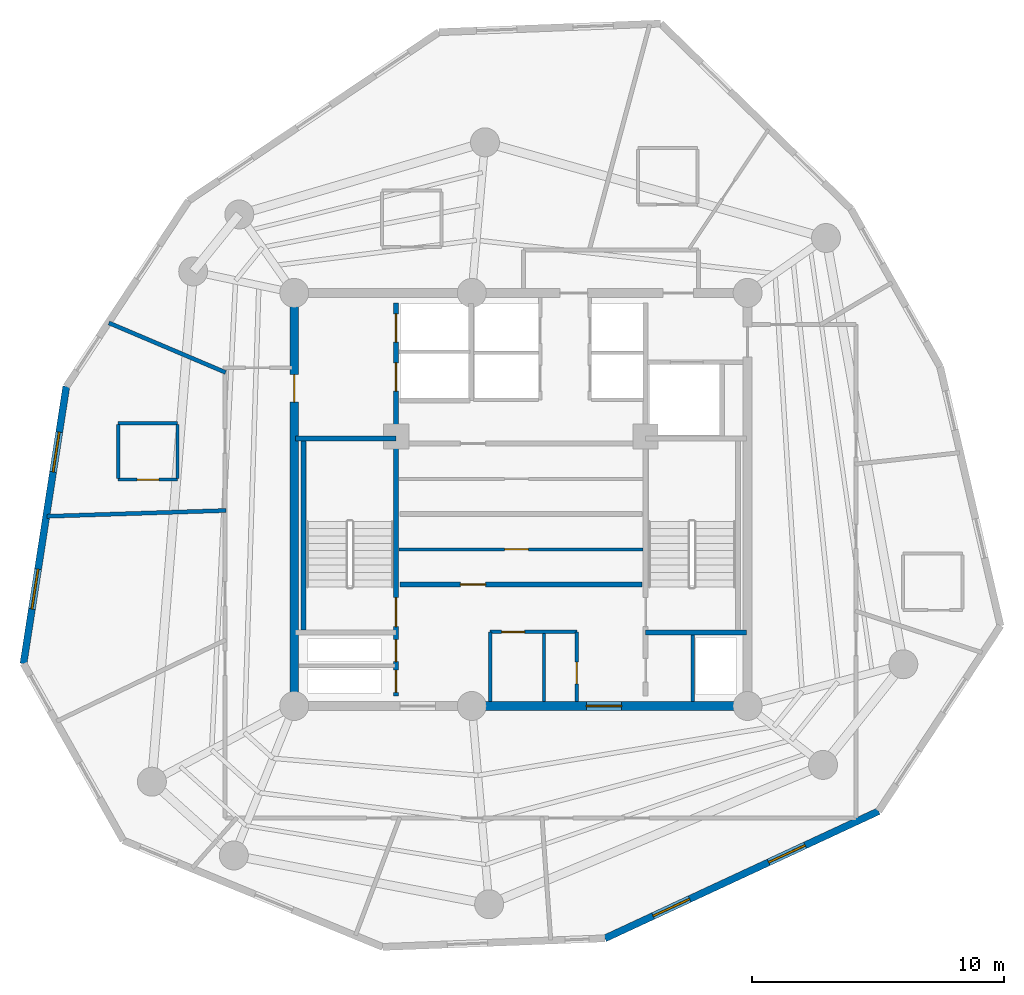
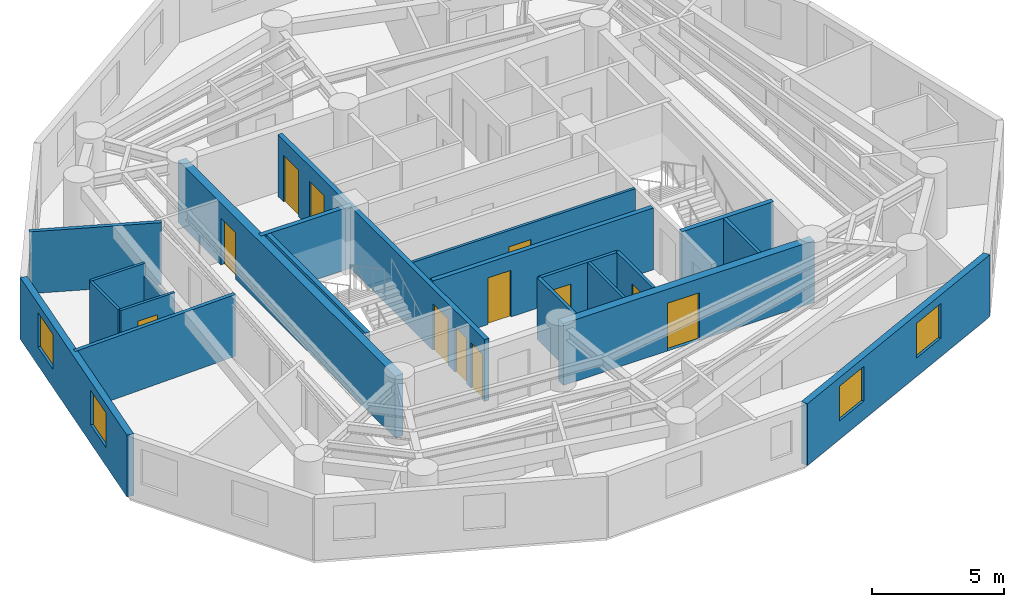
# One storey, part 3 of 7: 21 walls, 12 doors, 4 windows, 16 openings.
"""IFC4 building model written with IfcOpenShell, lengths in metres."""

import ifcopenshell
import ifcopenshell.guid

model = None  # the IFC model being written
_history = None  # IfcOwnerHistory: only IFC2X3 demands one
_inside = {}  # id of a spatial element -> (the spatial element, [elements in it])
_under = {}  # id of a project, library or spatial element -> (it, [spatial elements below it])
_declared = {}  # id of a project -> (the project, [libraries it declares])
_typed = {}  # id of a type object -> (the type object, [elements of that type])
_made_of = {}  # id of a material, layer set ... -> (it, [elements and type objects made of it])


def new_model(schema):
    """Start an empty IFC model of exactly this schema.

    Asked for "IFC4X3", IfcOpenShell would pick the latest addendum, in which some entities
    have other attributes; the version numbers below select the first issue.
    IFC2X3 requires an IfcOwnerHistory on every rooted entity: one is made here for all.
    """
    global model, _history
    if schema == "IFC4X3":
        model = ifcopenshell.file(schema_version=(4, 3, 0, 0))
    else:
        model = ifcopenshell.file(schema=schema)
    _inside.clear()
    _under.clear()
    _declared.clear()
    _typed.clear()
    _made_of.clear()
    _history = None
    if model.schema == "IFC2X3":
        org = make("IfcOrganization", Name="unknown")
        user = make(
            "IfcPersonAndOrganization",
            ThePerson=make("IfcPerson", FamilyName="unknown"),
            TheOrganization=org,
        )
        app = make(
            "IfcApplication",
            ApplicationDeveloper=org,
            Version="unknown",
            ApplicationFullName="unknown",
            ApplicationIdentifier="unknown",
        )
        _history = make(
            "IfcOwnerHistory",
            OwningUser=user,
            OwningApplication=app,
            ChangeAction="ADDED",
            CreationDate=0,
        )
    return model


def make(cls, **values):
    """One entity of the class cls with the attributes given. An attribute that is None is left unset."""
    return model.create_entity(
        cls, **{name: value for name, value in values.items() if value is not None}
    )


def rooted(cls, **values):
    """An entity with a GlobalId (a new one), such as an element, a storey or a relation."""
    return make(cls, GlobalId=ifcopenshell.guid.new(), OwnerHistory=_history, **values)


def si_unit(unit_type, name, prefix=None):
    """IfcSIUnit, for example si_unit("LENGTHUNIT", "METRE", prefix="MILLI")."""
    return make("IfcSIUnit", UnitType=unit_type, Prefix=prefix, Name=name)


def assignment(units):
    """IfcUnitAssignment: the units of a project."""
    return None if units is None else make("IfcUnitAssignment", Units=units)


def point(xyz):
    """IfcCartesianPoint."""
    return None if xyz is None else make("IfcCartesianPoint", Coordinates=xyz)


def direction(xyz):
    """IfcDirection."""
    return None if xyz is None else make("IfcDirection", DirectionRatios=xyz)


def frame(location, z_axis=None, x_axis=None):
    """IfcAxis2Placement3D, a coordinate frame: its origin and axes. An axis left out is left unset."""
    return make(
        "IfcAxis2Placement3D",
        Location=point(location),
        Axis=direction(z_axis),
        RefDirection=direction(x_axis),
    )


def frame_2d(location, x_axis=None):
    """IfcAxis2Placement2D, a coordinate frame in the plane: its origin and x axis."""
    return make(
        "IfcAxis2Placement2D", Location=point(location), RefDirection=direction(x_axis)
    )


def origin():
    """The frame at (0, 0, 0) with its axes left unset."""
    return frame((0.0, 0.0, 0.0))


def origin_with_axes():
    """The frame at (0, 0, 0) with the z axis (0, 0, 1) and the x axis (1, 0, 0) written out."""
    return frame((0.0, 0.0, 0.0), z_axis=(0.0, 0.0, 1.0), x_axis=(1.0, 0.0, 0.0))


def place(relative_to, where):
    """IfcLocalPlacement: puts the frame where relative to a parent placement (None: the world)."""
    return make(
        "IfcLocalPlacement", PlacementRelTo=relative_to, RelativePlacement=where
    )


def context(
    kind, dimensions, precision=None, world=None, true_north=None, identifier=None
):
    """IfcGeometricRepresentationContext, for example the 3D "Model" context."""
    return make(
        "IfcGeometricRepresentationContext",
        ContextIdentifier=identifier,
        ContextType=kind,
        CoordinateSpaceDimension=dimensions,
        Precision=precision,
        WorldCoordinateSystem=world,
        TrueNorth=true_north,
    )


def subcontext(parent, identifier, kind, view, scale=None):
    """IfcGeometricRepresentationSubContext, for example "Body" below "Model"."""
    return make(
        "IfcGeometricRepresentationSubContext",
        ContextIdentifier=identifier,
        ContextType=kind,
        ParentContext=parent,
        TargetScale=scale,
        TargetView=view,
    )


def project(units=None, contexts=None):
    """IfcProject with its units and contexts."""
    return rooted(
        "IfcProject",
        Name="project",
        RepresentationContexts=contexts,
        UnitsInContext=assignment(units),
    )


def spatial(cls, under=None, at=None, **own):
    """A site, building, storey or space (cls), placed at a placement, below another one or the project."""
    s = rooted(cls, ObjectPlacement=at, **own)
    if under is not None:
        _under.setdefault(under.id(), (under, []))[1].append(s)
    return s


def profile(cls, at=None, kind="AREA", **sizes):
    """A parametric profile (cls). Its sizes go by their IFC names, for example OverallWidth=200.0."""
    return make(cls, ProfileType=kind, Position=at, **sizes)


def rectangle(**sizes):
    """IfcRectangleProfileDef."""
    return profile("IfcRectangleProfileDef", **sizes)


def extrude(swept, where, along, depth):
    """IfcExtrudedAreaSolid: the profile swept, set in the frame where, extruded along a direction by depth."""
    return make(
        "IfcExtrudedAreaSolid",
        SweptArea=swept,
        Position=where,
        ExtrudedDirection=direction(along),
        Depth=depth,
    )


def shape(context_of_items, identifier, shape_type, items):
    """IfcShapeRepresentation: the items that make up one representation, for example the "Body"."""
    return make(
        "IfcShapeRepresentation",
        ContextOfItems=context_of_items,
        RepresentationIdentifier=identifier,
        RepresentationType=shape_type,
        Items=items,
    )


def source(mapping_origin, context_of_items, identifier, shape_type, items):
    """IfcRepresentationMap: a shape defined once, which mapped items show again and again."""
    return make(
        "IfcRepresentationMap",
        MappingOrigin=mapping_origin,
        MappedRepresentation=shape(context_of_items, identifier, shape_type, items),
    )


def transform(
    local_origin,
    x_axis=None,
    y_axis=None,
    z_axis=None,
    scale=None,
    scale2=None,
    scale3=None,
    uniform=True,
):
    """IfcCartesianTransformationOperator3D, or its non-uniform kind. x_axis, y_axis, z_axis: its Axis1, 2, 3."""
    if uniform:
        return make(
            "IfcCartesianTransformationOperator3D",
            Axis1=direction(x_axis),
            Axis2=direction(y_axis),
            LocalOrigin=point(local_origin),
            Scale=scale,
            Axis3=direction(z_axis),
        )
    return make(
        "IfcCartesianTransformationOperator3DnonUniform",
        Axis1=direction(x_axis),
        Axis2=direction(y_axis),
        LocalOrigin=point(local_origin),
        Scale=scale,
        Axis3=direction(z_axis),
        Scale2=scale2,
        Scale3=scale3,
    )


def mapped(mapping_source, mapping_target):
    """IfcMappedItem: shows the shape of a source again, moved by a transform."""
    return make(
        "IfcMappedItem", MappingSource=mapping_source, MappingTarget=mapping_target
    )


def material(Name=None, Category=None):
    """IfcMaterial."""
    return make("IfcMaterial", Name=Name, Category=Category)


def layer(
    of_material, thickness, ventilated=None, Name=None, Category=None, Priority=None
):
    """IfcMaterialLayer: one layer of a wall or slab, of a material (None: an air gap)."""
    return make(
        "IfcMaterialLayer",
        Material=of_material,
        LayerThickness=thickness,
        IsVentilated=ventilated,
        Name=Name,
        Category=Category,
        Priority=Priority,
    )


def layer_set(layers, Name=None):
    """IfcMaterialLayerSet."""
    return make("IfcMaterialLayerSet", MaterialLayers=layers, LayerSetName=Name)


def made_of(thing, what):
    """Note that an element or type object is made of a material, layer set ...; save() writes the relation."""
    if what is not None:
        _made_of.setdefault(what.id(), (what, []))[1].append(thing)
    return thing


def type_object(cls, material=None, **own):
    """A type object (cls), such as IfcWallType, which elements share."""
    return made_of(rooted(cls, **own), material)


def element(
    cls,
    number,
    at=None,
    inside=None,
    cuts=None,
    type_object=None,
    material=None,
    context=None,
    identifier="Body",
    shape_type=None,
    held_by="IfcProductDefinitionShape",
    body=None,
    shapes=None,
    **own,
):
    """One element of the class cls, such as IfcWall. Its Tag is "e" and its number.

    at: its placement. inside: the storey or other place that contains it. cuts: it is an
    opening in that element (IfcRelVoidsElement). A single representation is given by context,
    identifier, shape_type and body (its items); several are given by shapes. held_by: the class
    of the entity that holds the representations. save() writes the other relations.
    """
    e = rooted(cls, Tag="e%d" % number, ObjectPlacement=at, **own)
    if body is not None:
        shapes = [shape(context, identifier, shape_type, body)]
    if shapes is not None:
        e.Representation = make(held_by, Representations=shapes)
    if inside is not None:
        _inside.setdefault(inside.id(), (inside, []))[1].append(e)
    if cuts is not None:
        rooted(
            "IfcRelVoidsElement", RelatingBuildingElement=cuts, RelatedOpeningElement=e
        )
    if type_object is not None:
        _typed.setdefault(type_object.id(), (type_object, []))[1].append(e)
    return made_of(e, material)


def fill(opening, filler):
    """IfcRelFillsElement: the door or window that sits in an opening."""
    return rooted(
        "IfcRelFillsElement",
        RelatingOpeningElement=opening,
        RelatedBuildingElement=filler,
    )


def aggregate(whole, parts):
    """IfcRelAggregates: a whole, such as a stair, and the parts it consists of."""
    return rooted("IfcRelAggregates", RelatingObject=whole, RelatedObjects=parts)


def save(model, path):
    """Write the relations noted so far, then the file.

    IfcRelAggregates (storeys below a building ...), IfcRelContainedInSpatialStructure (elements
    in a storey), IfcRelDefinesByType, IfcRelAssociatesMaterial and IfcRelDeclares: one each for
    every whole, place, type object, material and project.
    """
    for whole, parts in _under.values():
        aggregate(whole, parts)
    for where, things in _inside.values():
        rooted(
            "IfcRelContainedInSpatialStructure",
            RelatedElements=things,
            RelatingStructure=where,
        )
    for kind, things in _typed.values():
        rooted("IfcRelDefinesByType", RelatedObjects=things, RelatingType=kind)
    for what, things in _made_of.values():
        rooted("IfcRelAssociatesMaterial", RelatedObjects=things, RelatingMaterial=what)
    for by, libraries in _declared.values():
        rooted("IfcRelDeclares", RelatingContext=by, RelatedDefinitions=libraries)
    model.write(path)


model = new_model("IFC4")

# Units and contexts
model_context = context("Model", 3, precision=1e-05, world=origin(), true_north=direction((0.0, 1.0)))
body_context = subcontext(model_context, "Body", "Model", "MODEL_VIEW")
ifc_project = project(units=[si_unit("LENGTHUNIT", "METRE"), si_unit("AREAUNIT", "SQUARE_METRE"), si_unit("VOLUMEUNIT", "CUBIC_METRE"), si_unit("PLANEANGLEUNIT", "RADIAN"), si_unit("MASSUNIT", "GRAM", prefix="KILO")], contexts=[model_context])

# Site, building, storey
site_placement = place(None, origin())
site = spatial("IfcSite", under=ifc_project, at=site_placement, CompositionType="ELEMENT")
building_placement = place(site_placement, origin())
building = spatial("IfcBuilding", under=site, at=building_placement, Name="Karkom Vertical University and Central Library", CompositionType="ELEMENT")
storey_placement = place(building_placement, frame((0.0, 0.0, 259.60009765625)))
storey = spatial("IfcBuildingStorey", under=building, at=storey_placement, Name="L77", CompositionType="ELEMENT", Elevation=259.60009765625)

# Wall, openings, windows
ifc_material_1 = material(Name="Brick-faced precast concrete C45/55", Category="masonry")
ifc_layer_1 = layer(ifc_material_1, 0.280029296875)
ifc_layer_set_1 = layer_set([ifc_layer_1], Name="Brick-faced precast concrete C45/55")
wall_type_1 = type_object("IfcWallType", Name="ENV-WL-BRK-280", PredefinedType="SOLIDWALL", material=ifc_layer_set_1)
wall_1_placement = place(storey_placement, frame((31.833984375, 9.073486328125, 0.0), z_axis=(0.0, 0.0, 1.0), x_axis=(0.906836854836, 0.421481813026, 0.0)))
wall_1 = element("IfcWall", 1, at=wall_1_placement, inside=storey, type_object=wall_type_1, Name="Level 77 Brick-Faced Precast Facade Wall 04", PredefinedType="SOLIDWALL", context=body_context, shape_type="SweptSolid", body=[
    extrude(rectangle(XDim=11.98291015625, YDim=0.280029296875, at=frame_2d((5.991455078125, 0.0))), origin(), (0.0, 0.0, 1.0), 2.849853515625),
])
opening_1_placement = place(wall_1_placement, frame((2.109130859375, 0.0, 0.85009765625)))
opening_1 = element("IfcOpeningElement", 2, at=opening_1_placement, cuts=wall_1, Name="Opening WN-10", PredefinedType="OPENING", context=body_context, shape_type="SweptSolid", body=[
    extrude(rectangle(XDim=1.60009765625, YDim=1.60009765625, at=frame_2d((0.800048828125, 0.800048828125))), frame((0.0, 0.14990234375, 0.0), z_axis=(0.0, -1.0, 0.0), x_axis=(1.0, 0.0, 0.0)), (0.0, 0.0, 1.0), 0.300048828125),
])
opening_2_placement = place(wall_1_placement, frame((7.167236328125, 0.0, 0.85009765625)))
opening_2 = element("IfcOpeningElement", 3, at=opening_2_placement, cuts=wall_1, Name="Opening WN-10", PredefinedType="OPENING", context=body_context, shape_type="SweptSolid", body=[
    extrude(rectangle(XDim=1.60009765625, YDim=1.60009765625, at=frame_2d((0.800048828125, 0.800048828125))), frame((0.0, 0.14990234375, 0.0), z_axis=(0.0, -1.0, 0.0), x_axis=(1.0, 0.0, 0.0)), (0.0, 0.0, 1.0), 0.300048828125),
])
ifc_material_2 = material(Name="Aluminium thermal-break frame with solar-control IGU", Category="aluminium")
window_type = type_object("IfcWindowType", Name="ENV-WIN-WN-10", PartitioningType="SINGLE_PANEL", PredefinedType="WINDOW", material=ifc_material_2)
shared_shape_1 = source(origin_with_axes(), body_context, "Body", "SweptSolid", [
    extrude(rectangle(XDim=1.60009765625, YDim=1.60009765625, at=frame_2d((0.800048828125, 0.800048828125))), frame((0.0, 0.030029296875, 0.0), z_axis=(0.0, -1.0, 0.0), x_axis=(1.0, 0.0, 0.0)), (0.0, 0.0, 1.0), 0.06005859375),
])
window_1_placement = place(opening_1_placement, origin())
window_1 = element("IfcWindow", 4, at=window_1_placement, inside=storey, type_object=window_type, Name="Level 77 Punched Window 4.1", OverallHeight=1.60009765625, OverallWidth=1.60009765625, PartitioningType="SINGLE_PANEL", PredefinedType="WINDOW", context=body_context, shape_type="MappedRepresentation", body=[
    mapped(shared_shape_1, transform((0.0, 0.0, 0.0), scale=1.0)),
])
fill(opening_1, window_1)
window_2_placement = place(opening_2_placement, origin())
window_2 = element("IfcWindow", 5, at=window_2_placement, inside=storey, type_object=window_type, Name="Level 77 Punched Window 4.2", OverallHeight=1.60009765625, OverallWidth=1.60009765625, PartitioningType="SINGLE_PANEL", PredefinedType="WINDOW", context=body_context, shape_type="MappedRepresentation", body=[
    mapped(shared_shape_1, transform((0.0, 0.0, 0.0), scale=1.0)),
])
fill(opening_2, window_2)

wall_2_placement = place(storey_placement, frame((10.45263671875, 30.985107421875, 0.0), z_axis=(0.0, 0.0, 1.0), x_axis=(-0.152727787932, -0.988268294945, 0.0)))
wall_2 = element("IfcWall", 6, at=wall_2_placement, inside=storey, type_object=wall_type_1, Name="Level 77 Brick-Faced Precast Facade Wall 12", PredefinedType="SOLIDWALL", context=body_context, shape_type="SweptSolid", body=[
    extrude(rectangle(XDim=11.1337890625, YDim=0.280029296875, at=frame_2d((5.56689453125, 0.0))), origin(), (0.0, 0.0, 1.0), 2.849853515625),
])
opening_3_placement = place(wall_2_placement, frame((1.83251953125, 0.0, 0.85009765625)))
opening_3 = element("IfcOpeningElement", 7, at=opening_3_placement, cuts=wall_2, Name="Opening WN-10", PredefinedType="OPENING", context=body_context, shape_type="SweptSolid", body=[
    extrude(rectangle(XDim=1.60009765625, YDim=1.60009765625, at=frame_2d((0.800048828125, 0.800048828125))), frame((0.0, 0.14990234375, 0.0), z_axis=(0.0, -1.0, 0.0), x_axis=(1.0, 0.0, 0.0)), (0.0, 0.0, 1.0), 0.300048828125),
])
opening_4_placement = place(wall_2_placement, frame((7.339111328125, 0.0, 0.85009765625)))
opening_4 = element("IfcOpeningElement", 8, at=opening_4_placement, cuts=wall_2, Name="Opening WN-10", PredefinedType="OPENING", context=body_context, shape_type="SweptSolid", body=[
    extrude(rectangle(XDim=1.60009765625, YDim=1.60009765625, at=frame_2d((0.800048828125, 0.800048828125))), frame((0.0, 0.14990234375, 0.0), z_axis=(0.0, -1.0, 0.0), x_axis=(1.0, 0.0, 0.0)), (0.0, 0.0, 1.0), 0.300048828125),
])
window_3_placement = place(opening_3_placement, origin())
window_3 = element("IfcWindow", 9, at=window_3_placement, inside=storey, type_object=window_type, Name="Level 77 Punched Window 12.1", OverallHeight=1.60009765625, OverallWidth=1.60009765625, PartitioningType="SINGLE_PANEL", PredefinedType="WINDOW", context=body_context, shape_type="MappedRepresentation", body=[
    mapped(shared_shape_1, transform((0.0, 0.0, 0.0), scale=1.0)),
])
fill(opening_3, window_3)
window_4_placement = place(opening_4_placement, origin())
window_4 = element("IfcWindow", 10, at=window_4_placement, inside=storey, type_object=window_type, Name="Level 77 Punched Window 12.2", OverallHeight=1.60009765625, OverallWidth=1.60009765625, PartitioningType="SINGLE_PANEL", PredefinedType="WINDOW", context=body_context, shape_type="MappedRepresentation", body=[
    mapped(shared_shape_1, transform((0.0, 0.0, 0.0), scale=1.0)),
])
fill(opening_4, window_4)

# Walls
ifc_material_3 = material(Name="Insulated metal-stud drywall 160mm", Category="gypsum")
ifc_layer_2 = layer(ifc_material_3, 0.159912109375)
ifc_layer_set_2 = layer_set([ifc_layer_2], Name="Insulated metal-stud drywall 160mm")
wall_type_2 = type_object("IfcWallType", Name="INT-WL-COR-160", PredefinedType="PARTITIONING", material=ifc_layer_set_2)
wall_3_placement = place(storey_placement, frame((9.6826171875, 25.830810546875, 0.0), z_axis=(0.0, 0.0, 1.0), x_axis=(0.999476541971, 0.032351847701, 0.0)))
element("IfcWall", 11, at=wall_3_placement, inside=storey, type_object=wall_type_2, Name="Level 77 Interior Partition Wall L77-PW-002", PredefinedType="PARTITIONING", context=body_context, shape_type="SweptSolid", body=[
    extrude(rectangle(XDim=7.1162109375, YDim=0.159912109375, at=frame_2d((3.55810546875, 0.0))), origin(), (0.0, 0.0, 1.0), 2.849853515625),
])
wall_4_placement = place(storey_placement, frame((16.777587890625, 31.541015625, 0.0), z_axis=(0.0, 0.0, 1.0), x_axis=(-0.920504094463, 0.390732916553, 0.0)))
element("IfcWall", 12, at=wall_4_placement, inside=storey, type_object=wall_type_2, Name="Level 77 Interior Partition Wall L77-PW-012", PredefinedType="PARTITIONING", context=body_context, shape_type="SweptSolid", body=[
    extrude(rectangle(XDim=5.0341796875, YDim=0.159912109375, at=frame_2d((2.51708984375, 0.0))), origin(), (0.0, 0.0, 1.0), 2.849853515625),
])
ifc_material_4 = material(Name="Moisture-resistant drywall 120mm", Category="gypsum")
ifc_layer_3 = layer(ifc_material_4, 0.1201171875)
ifc_layer_set_3 = layer_set([ifc_layer_3], Name="Moisture-resistant drywall 120mm")
wall_type_3 = type_object("IfcWallType", Name="INT-WL-INT-120", PredefinedType="PARTITIONING", material=ifc_layer_set_3)
wall_5_placement = place(storey_placement, frame((29.419921875, 18.48193359375, 0.0), z_axis=(0.0, 0.0, 1.0), x_axis=(0.0, 1.0, 0.0)))
element("IfcWall", 13, at=wall_5_placement, inside=storey, type_object=wall_type_3, Name="Level 77 Interior Partition Wall L77-CW-K3-DIV", PredefinedType="PARTITIONING", context=body_context, shape_type="SweptSolid", body=[
    extrude(rectangle(XDim=2.687255859375, YDim=0.1201171875, at=frame_2d((1.34375, 0.0))), origin(), (0.0, 0.0, 1.0), 2.849853515625),
])

# Wall, opening, door
ifc_layer_4 = layer(ifc_material_4, 0.1201171875)
ifc_layer_set_4 = layer_set([ifc_layer_4], Name="Moisture-resistant drywall 120mm")
wall_type_4 = type_object("IfcWallType", Name="INT-WL-INT-120F", PredefinedType="PARTITIONING", material=ifc_layer_set_4)
wall_6_placement = place(storey_placement, frame((23.652099609375, 24.52001953125, 0.0), z_axis=(0.0, 0.0, 1.0), x_axis=(1.0, 0.0, 0.0)))
wall_6 = element("IfcWall", 14, at=wall_6_placement, inside=storey, type_object=wall_type_4, Name="Level 77 Interior Partition Wall L77-CW-B1-K3H", PredefinedType="PARTITIONING", context=body_context, shape_type="SweptSolid", body=[
    extrude(rectangle(XDim=9.697509765625, YDim=0.1201171875, at=frame_2d((4.8486328125, 0.0))), origin(), (0.0, 0.0, 1.0), 2.849853515625),
])
opening_5_placement = place(wall_6_placement, frame((4.199951171875, 0.0, 0.0)))
opening_5 = element("IfcOpeningElement", 15, at=opening_5_placement, cuts=wall_6, Name="Opening D-WC1", PredefinedType="OPENING", context=body_context, shape_type="SweptSolid", body=[
    extrude(rectangle(XDim=0.93994140625, YDim=2.10009765625, at=frame_2d((0.469970703125, 1.050048828125))), frame((0.0, 0.070068359375, 0.0), z_axis=(0.0, -1.0, 0.0), x_axis=(1.0, 0.0, 0.0)), (0.0, 0.0, 1.0), 0.14013671875),
])
ifc_material_5 = material(Name="Fire-rated laminate moisture-resistant door", Category="wood")
door_type_1 = type_object("IfcDoorType", Name="INT-DR-WC1", OperationType="NOTDEFINED", PredefinedType="DOOR", material=ifc_material_5)
shared_shape_2 = source(origin_with_axes(), body_context, "Body", "SweptSolid", [
    extrude(rectangle(XDim=0.93994140625, YDim=2.10009765625, at=frame_2d((0.469970703125, 1.050048828125))), frame((0.0, 0.02490234375, 0.0), z_axis=(0.0, -1.0, 0.0), x_axis=(1.0, 0.0, 0.0)), (0.0, 0.0, 1.0), 0.050048828125),
])
door_1_placement = place(opening_5_placement, origin())
door_1 = element("IfcDoor", 16, at=door_1_placement, inside=storey, type_object=door_type_1, Name="Level 77 B1 Core WC Strip Door", OperationType="SINGLE_SWING_RIGHT", OverallHeight=2.10009765625, OverallWidth=0.93994140625, PredefinedType="DOOR", context=body_context, shape_type="MappedRepresentation", body=[
    mapped(shared_shape_2, transform((0.0, 0.0, 0.0), scale=1.0)),
])
fill(opening_5, door_1)

wall_7_placement = place(storey_placement, frame((12.513916015625, 27.284912109375, 0.0), z_axis=(0.0, 0.0, 1.0), x_axis=(1.0, 0.0, 0.0)))
wall_7 = element("IfcWall", 17, at=wall_7_placement, inside=storey, type_object=wall_type_4, Name="Level 77 Interior Partition Wall L77-ENS-50-S", PredefinedType="PARTITIONING", context=body_context, shape_type="SweptSolid", body=[
    extrude(rectangle(XDim=2.360107421875, YDim=0.1201171875, at=frame_2d((1.18017578125, 0.0))), origin(), (0.0, 0.0, 1.0), 2.849853515625),
])
opening_6_placement = place(wall_7_placement, frame((0.75, 0.0, 0.0)))
opening_6 = element("IfcOpeningElement", 18, at=opening_6_placement, cuts=wall_7, Name="Opening D-BATH", PredefinedType="OPENING", context=body_context, shape_type="SweptSolid", body=[
    extrude(rectangle(XDim=0.860107421875, YDim=2.10009765625, at=frame_2d((0.43017578125, 1.050048828125))), frame((0.0, 0.070068359375, 0.0), z_axis=(0.0, -1.0, 0.0), x_axis=(1.0, 0.0, 0.0)), (0.0, 0.0, 1.0), 0.14013671875),
])
ifc_material_6 = material(Name="Moisture-resistant oak door", Category="wood")
door_type_2 = type_object("IfcDoorType", Name="INT-DR-BATH", OperationType="NOTDEFINED", PredefinedType="DOOR", material=ifc_material_6)
shared_shape_3 = source(origin_with_axes(), body_context, "Body", "SweptSolid", [
    extrude(rectangle(XDim=0.860107421875, YDim=2.10009765625, at=frame_2d((0.43017578125, 1.050048828125))), frame((0.0, 0.02490234375, 0.0), z_axis=(0.0, -1.0, 0.0), x_axis=(1.0, 0.0, 0.0)), (0.0, 0.0, 1.0), 0.050048828125),
])
door_2_placement = place(opening_6_placement, origin())
door_2 = element("IfcDoor", 19, at=door_2_placement, inside=storey, type_object=door_type_2, Name="Level 77 En-Suite Bathroom Door 50", OperationType="SINGLE_SWING_LEFT", OverallHeight=2.10009765625, OverallWidth=0.860107421875, PredefinedType="DOOR", context=body_context, shape_type="MappedRepresentation", body=[
    mapped(shared_shape_3, transform((0.0, 0.0, 0.0), scale=1.0)),
])
fill(opening_6, door_2)

# Walls
wall_8_placement = place(storey_placement, frame((14.8740234375, 29.52490234375, 0.0), z_axis=(0.0, 0.0, 1.0), x_axis=(-1.0, 0.0, 0.0)))
element("IfcWall", 20, at=wall_8_placement, inside=storey, type_object=wall_type_4, Name="Level 77 Interior Partition Wall L77-ENS-50-N", PredefinedType="PARTITIONING", context=body_context, shape_type="SweptSolid", body=[
    extrude(rectangle(XDim=2.360107421875, YDim=0.1201171875, at=frame_2d((1.18017578125, 0.0))), origin(), (0.0, 0.0, 1.0), 2.849853515625),
])
wall_9_placement = place(storey_placement, frame((14.8740234375, 27.3349609375, 0.0), z_axis=(0.0, 0.0, 1.0), x_axis=(0.0, 1.0, 0.0)))
element("IfcWall", 21, at=wall_9_placement, inside=storey, type_object=wall_type_4, Name="Level 77 Interior Partition Wall L77-ENS-50-E", PredefinedType="PARTITIONING", context=body_context, shape_type="SweptSolid", body=[
    extrude(rectangle(XDim=2.14013671875, YDim=0.1201171875, at=frame_2d((1.070068359375, 0.0))), origin(), (0.0, 0.0, 1.0), 2.2998046875),
])
wall_10_placement = place(storey_placement, frame((12.513916015625, 29.47509765625, 0.0), z_axis=(0.0, 0.0, 1.0), x_axis=(0.0, -1.0, 0.0)))
element("IfcWall", 22, at=wall_10_placement, inside=storey, type_object=wall_type_4, Name="Level 77 Interior Partition Wall L77-ENS-50-W", PredefinedType="PARTITIONING", context=body_context, shape_type="SweptSolid", body=[
    extrude(rectangle(XDim=2.14013671875, YDim=0.1201171875, at=frame_2d((1.070068359375, 0.0))), origin(), (0.0, 0.0, 1.0), 2.849853515625),
])

# Wall, opening, door
ifc_material_7 = material(Name="Metal-stud gypsum partition 140mm", Category="gypsum")
ifc_layer_5 = layer(ifc_material_7, 0.139892578125)
ifc_layer_set_5 = layer_set([ifc_layer_5], Name="Metal-stud gypsum partition 140mm")
wall_type_5 = type_object("IfcWallType", Name="INT-WL-SUB-140", PredefinedType="PARTITIONING", material=ifc_layer_set_5)
wall_11_placement = place(storey_placement, frame((27.280029296875, 21.239990234375, 0.0), z_axis=(0.0, 0.0, 1.0), x_axis=(1.0, 0.0, 0.0)))
wall_11 = element("IfcWall", 23, at=wall_11_placement, inside=storey, type_object=wall_type_5, Name="Level 77 Interior Partition Wall L77-CW-KBAY-N", PredefinedType="PARTITIONING", context=body_context, shape_type="SweptSolid", body=[
    extrude(rectangle(XDim=3.43994140625, YDim=0.139892578125, at=frame_2d((1.719970703125, 0.0))), origin(), (0.0, 0.0, 1.0), 2.849853515625),
])
opening_7_placement = place(wall_11_placement, frame((0.449951171875, 0.0, 0.0)))
opening_7 = element("IfcOpeningElement", 24, at=opening_7_placement, cuts=wall_11, Name="Opening D-SVC1", PredefinedType="OPENING", context=body_context, shape_type="SweptSolid", body=[
    extrude(rectangle(XDim=0.919921875, YDim=2.10009765625, at=frame_2d((0.4599609375, 1.050048828125))), frame((0.0, 0.080078125, 0.0), z_axis=(0.0, -1.0, 0.0), x_axis=(1.0, 0.0, 0.0)), (0.0, 0.0, 1.0), 0.159912109375),
])
ifc_material_8 = material(Name="Painted timber service door", Category="wood")
door_type_3 = type_object("IfcDoorType", Name="INT-DR-SVC1", OperationType="NOTDEFINED", PredefinedType="DOOR", material=ifc_material_8)
shared_shape_4 = source(origin_with_axes(), body_context, "Body", "SweptSolid", [
    extrude(rectangle(XDim=0.919921875, YDim=2.10009765625, at=frame_2d((0.4599609375, 1.050048828125))), frame((0.0, 0.02490234375, 0.0), z_axis=(0.0, -1.0, 0.0), x_axis=(1.0, 0.0, 0.0)), (0.0, 0.0, 1.0), 0.050048828125),
])
door_3_placement = place(opening_7_placement, origin())
door_3 = element("IfcDoor", 25, at=door_3_placement, inside=storey, type_object=door_type_3, Name="Level 77 Copy Room Door", OperationType="SINGLE_SWING_LEFT", OverallHeight=2.10009765625, OverallWidth=0.919921875, PredefinedType="DOOR", context=body_context, shape_type="MappedRepresentation", body=[
    mapped(shared_shape_4, transform((0.0, 0.0, 0.0), scale=1.0)),
])
fill(opening_7, door_3)

# Wall
wall_12_placement = place(storey_placement, frame((27.280029296875, 18.48193359375, 0.0), z_axis=(0.0, 0.0, 1.0), x_axis=(0.0, 1.0, 0.0)))
element("IfcWall", 26, at=wall_12_placement, inside=storey, type_object=wall_type_5, Name="Level 77 Interior Partition Wall L77-CW-KBAY-W", PredefinedType="PARTITIONING", context=body_context, shape_type="SweptSolid", body=[
    extrude(rectangle(XDim=2.758056640625, YDim=0.139892578125, at=frame_2d((1.37890625, 0.0))), origin(), (0.0, 0.0, 1.0), 2.849853515625),
])

# Wall, opening, door
wall_13_placement = place(storey_placement, frame((30.719970703125, 18.48193359375, 0.0), z_axis=(0.0, 0.0, 1.0), x_axis=(0.0, 1.0, 0.0)))
wall_13 = element("IfcWall", 27, at=wall_13_placement, inside=storey, type_object=wall_type_5, Name="Level 77 Interior Partition Wall L77-CW-KBAY-E", PredefinedType="PARTITIONING", context=body_context, shape_type="SweptSolid", body=[
    extrude(rectangle(XDim=2.758056640625, YDim=0.139892578125, at=frame_2d((1.37890625, 0.0))), origin(), (0.0, 0.0, 1.0), 2.849853515625),
])
opening_8_placement = place(wall_13_placement, frame((0.699951171875, 0.0, 0.0)))
opening_8 = element("IfcOpeningElement", 28, at=opening_8_placement, cuts=wall_13, Name="Opening D-BATH", PredefinedType="OPENING", context=body_context, shape_type="SweptSolid", body=[
    extrude(rectangle(XDim=0.860107421875, YDim=2.10009765625, at=frame_2d((0.43017578125, 1.050048828125))), frame((0.0, 0.080078125, 0.0), z_axis=(0.0, -1.0, 0.0), x_axis=(1.0, 0.0, 0.0)), (0.0, 0.0, 1.0), 0.159912109375),
])
door_4_placement = place(opening_8_placement, origin())
door_4 = element("IfcDoor", 29, at=door_4_placement, inside=storey, type_object=door_type_2, Name="Level 77 Janitor Door", OperationType="SINGLE_SWING_RIGHT", OverallHeight=2.10009765625, OverallWidth=0.860107421875, PredefinedType="DOOR", context=body_context, shape_type="MappedRepresentation", body=[
    mapped(shared_shape_3, transform((0.0, 0.0, 0.0), scale=1.0)),
])
fill(opening_8, door_4)

# Wall
ifc_layer_6 = layer(ifc_material_7, 0.139892578125)
ifc_layer_set_6 = layer_set([ifc_layer_6], Name="Metal-stud gypsum partition 140mm")
wall_type_6 = type_object("IfcWallType", Name="INT-WL-SUB-140H", PredefinedType="PARTITIONING", material=ifc_layer_set_6)
wall_14_placement = place(storey_placement, frame((35.320068359375, 18.48193359375, 0.0), z_axis=(0.0, 0.0, 1.0), x_axis=(0.0, 1.0, 0.0)))
element("IfcWall", 30, at=wall_14_placement, inside=storey, type_object=wall_type_6, Name="Level 77 Interior Partition Wall L77-CW-RIS-E", PredefinedType="PARTITIONING", context=body_context, shape_type="SweptSolid", body=[
    extrude(rectangle(XDim=2.629150390625, YDim=0.139892578125, at=frame_2d((1.314453125, 0.0))), origin(), (0.0, 0.0, 1.0), 2.849853515625),
])

# Wall, opening, door
ifc_material_9 = material(Name="Concrete C45/55", Category="concrete")
ifc_layer_7 = layer(ifc_material_9, 0.35009765625)
ifc_layer_set_7 = layer_set([ifc_layer_7], Name="Concrete C45/55")
wall_type_7 = type_object("IfcWallType", Name="STR-WL-CW-350", PredefinedType="SHEAR", material=ifc_layer_set_7)
wall_15_placement = place(storey_placement, frame((26.550048828125, 18.300048828125, 0.0), z_axis=(0.0, 0.0, 1.0), x_axis=(1.0, 0.0, 0.0)))
wall_15 = element("IfcWall", 31, at=wall_15_placement, inside=storey, type_object=wall_type_7, Name="Level 77 Central Core Shear Wall SW2", PredefinedType="SHEAR", context=body_context, shape_type="SweptSolid", body=[
    extrude(rectangle(XDim=10.949951171875, YDim=0.35009765625, at=frame_2d((5.47509765625, 0.0))), origin(), (0.0, 0.0, 1.0), 2.849853515625),
])
opening_9_placement = place(wall_15_placement, frame((4.550048828125, 0.0, 0.0)))
opening_9 = element("IfcOpeningElement", 32, at=opening_9_placement, cuts=wall_15, Name="Opening FD-CLB", PredefinedType="OPENING", context=body_context, shape_type="SweptSolid", body=[
    extrude(rectangle(XDim=1.39990234375, YDim=2.199951171875, at=frame_2d((0.699951171875, 1.10009765625))), frame((0.0, 0.18505859375, 0.0), z_axis=(0.0, -1.0, 0.0), x_axis=(1.0, 0.0, 0.0)), (0.0, 0.0, 1.0), 0.3701171875),
])
ifc_material_10 = material(Name="Painted steel fire door", Category="steel")
door_type_4 = type_object("IfcDoorType", Name="INT-DR-CLB", OperationType="DOUBLE_DOOR_SINGLE_SWING", PredefinedType="DOOR", material=ifc_material_10)
shared_shape_5 = source(origin_with_axes(), body_context, "Body", "SweptSolid", [
    extrude(rectangle(XDim=1.39990234375, YDim=2.199951171875, at=frame_2d((0.699951171875, 1.10009765625))), frame((0.0, 0.02490234375, 0.0), z_axis=(0.0, -1.0, 0.0), x_axis=(1.0, 0.0, 0.0)), (0.0, 0.0, 1.0), 0.050048828125),
])
door_5_placement = place(opening_9_placement, origin())
door_5 = element("IfcDoor", 33, at=door_5_placement, inside=storey, type_object=door_type_4, Name="Level 77 South Core Lobby East Exit Door", OperationType="DOUBLE_DOOR_SINGLE_SWING", OverallHeight=2.199951171875, OverallWidth=1.39990234375, PredefinedType="DOOR", context=body_context, shape_type="MappedRepresentation", body=[
    mapped(shared_shape_5, transform((0.0, 0.0, 0.0), scale=1.0)),
])
fill(opening_9, door_5)

wall_16_placement = place(storey_placement, frame((19.5, 34.699951171875, 0.0), z_axis=(0.0, 0.0, 1.0), x_axis=(0.0, -1.0, 0.0)))
wall_16 = element("IfcWall", 34, at=wall_16_placement, inside=storey, type_object=wall_type_7, Name="Level 77 Central Core Shear Wall WW", PredefinedType="SHEAR", context=body_context, shape_type="SweptSolid", body=[
    extrude(rectangle(XDim=16.39990234375, YDim=0.35009765625, at=frame_2d((8.199951171875, 0.0))), origin(), (0.0, 0.0, 1.0), 2.849853515625),
])
opening_10_placement = place(wall_16_placement, frame((3.239990234375, 0.0, 0.0)))
opening_10 = element("IfcOpeningElement", 35, at=opening_10_placement, cuts=wall_16, Name="Opening FD-FFL", PredefinedType="OPENING", context=body_context, shape_type="SweptSolid", body=[
    extrude(rectangle(XDim=1.10009765625, YDim=2.14990234375, at=frame_2d((0.550048828125, 1.074951171875))), frame((0.0, 0.18505859375, 0.0), z_axis=(0.0, -1.0, 0.0), x_axis=(1.0, 0.0, 0.0)), (0.0, 0.0, 1.0), 0.3701171875),
])
ifc_material_11 = material(Name="Painted steel smoke-seal fire door", Category="steel")
door_type_5 = type_object("IfcDoorType", Name="INT-DR-FFL", OperationType="NOTDEFINED", PredefinedType="DOOR", material=ifc_material_11)
shared_shape_6 = source(origin_with_axes(), body_context, "Body", "SweptSolid", [
    extrude(rectangle(XDim=1.10009765625, YDim=2.14990234375, at=frame_2d((0.550048828125, 1.074951171875))), frame((0.0, 0.02490234375, 0.0), z_axis=(0.0, -1.0, 0.0), x_axis=(1.0, 0.0, 0.0)), (0.0, 0.0, 1.0), 0.050048828125),
])
door_6_placement = place(opening_10_placement, origin())
door_6 = element("IfcDoor", 36, at=door_6_placement, inside=storey, type_object=door_type_5, Name="Level 77 West Corridor Firefighting Lobby Door", OperationType="SINGLE_SWING_LEFT", OverallHeight=2.14990234375, OverallWidth=1.10009765625, PredefinedType="DOOR", context=body_context, shape_type="MappedRepresentation", body=[
    mapped(shared_shape_6, transform((0.0, 0.0, 0.0), scale=1.0)),
])
fill(opening_10, door_6)

# Wall, openings, doors
ifc_layer_8 = layer(ifc_material_9, 0.199951171875)
ifc_layer_set_8 = layer_set([ifc_layer_8], Name="Concrete C45/55")
wall_type_8 = type_object("IfcWallType", Name="STR-WL-ST-200", PredefinedType="SHEAR", material=ifc_layer_set_8)
wall_17_placement = place(storey_placement, frame((23.544921875, 18.699951171875, 0.0), z_axis=(0.0, 0.0, 1.0), x_axis=(0.0, 1.0, 0.0)))
wall_17 = element("IfcWall", 37, at=wall_17_placement, inside=storey, type_object=wall_type_8, Name="Level 77 Core Shaft Wall L77-CW-ST1-E", PredefinedType="SHEAR", context=body_context, shape_type="SweptSolid", body=[
    extrude(rectangle(XDim=15.60009765625, YDim=0.199951171875, at=frame_2d((7.800048828125, 0.0))), origin(), (0.0, 0.0, 1.0), 2.849853515625),
])
opening_11_placement = place(wall_17_placement, frame((2.75, 0.0, 0.0)))
opening_11 = element("IfcOpeningElement", 38, at=opening_11_placement, cuts=wall_17, Name="Opening FD-ST1", PredefinedType="OPENING", context=body_context, shape_type="SweptSolid", body=[
    extrude(rectangle(XDim=1.14990234375, YDim=2.14990234375, at=frame_2d((0.574951171875, 1.074951171875))), frame((0.0, 0.10986328125, 0.0), z_axis=(0.0, -1.0, 0.0), x_axis=(1.0, 0.0, 0.0)), (0.0, 0.0, 1.0), 0.219970703125),
])
opening_12_placement = place(wall_17_placement, frame((0.139892578125, 0.0, 0.0)))
opening_12 = element("IfcOpeningElement", 39, at=opening_12_placement, cuts=wall_17, Name="Opening FD-RIS", PredefinedType="OPENING", context=body_context, shape_type="SweptSolid", body=[
    extrude(rectangle(XDim=0.8798828125, YDim=2.10009765625, at=frame_2d((0.43994140625, 1.050048828125))), frame((0.0, 0.10986328125, 0.0), z_axis=(0.0, -1.0, 0.0), x_axis=(1.0, 0.0, 0.0)), (0.0, 0.0, 1.0), 0.219970703125),
])
opening_13_placement = place(wall_17_placement, frame((1.360107421875, 0.0, 0.0)))
opening_13 = element("IfcOpeningElement", 40, at=opening_13_placement, cuts=wall_17, Name="Opening FD-RIS", PredefinedType="OPENING", context=body_context, shape_type="SweptSolid", body=[
    extrude(rectangle(XDim=0.8798828125, YDim=2.10009765625, at=frame_2d((0.43994140625, 1.050048828125))), frame((0.0, 0.10986328125, 0.0), z_axis=(0.0, -1.0, 0.0), x_axis=(1.0, 0.0, 0.0)), (0.0, 0.0, 1.0), 0.219970703125),
])
opening_14_placement = place(wall_17_placement, frame((12.10009765625, 0.0, 0.0)))
opening_14 = element("IfcOpeningElement", 41, at=opening_14_placement, cuts=wall_17, Name="Opening LD-FFL", PredefinedType="OPENING", context=body_context, shape_type="SweptSolid", body=[
    extrude(rectangle(XDim=1.1201171875, YDim=2.14990234375, at=frame_2d((0.56005859375, 1.074951171875))), frame((0.0, 0.10986328125, 0.0), z_axis=(0.0, -1.0, 0.0), x_axis=(1.0, 0.0, 0.0)), (0.0, 0.0, 1.0), 0.219970703125),
])
opening_15_placement = place(wall_17_placement, frame((14.050048828125, 0.0, 0.0)))
opening_15 = element("IfcOpeningElement", 42, at=opening_15_placement, cuts=wall_17, Name="Opening LD-FFL", PredefinedType="OPENING", context=body_context, shape_type="SweptSolid", body=[
    extrude(rectangle(XDim=1.1201171875, YDim=2.14990234375, at=frame_2d((0.56005859375, 1.074951171875))), frame((0.0, 0.10986328125, 0.0), z_axis=(0.0, -1.0, 0.0), x_axis=(1.0, 0.0, 0.0)), (0.0, 0.0, 1.0), 0.219970703125),
])
ifc_material_12 = material(Name="Painted steel acoustic fire door", Category="steel")
door_type_6 = type_object("IfcDoorType", Name="INT-DR-ST1", OperationType="NOTDEFINED", PredefinedType="DOOR", material=ifc_material_12)
shared_shape_7 = source(origin_with_axes(), body_context, "Body", "SweptSolid", [
    extrude(rectangle(XDim=1.14990234375, YDim=2.14990234375, at=frame_2d((0.574951171875, 1.074951171875))), frame((0.0, 0.02490234375, 0.0), z_axis=(0.0, -1.0, 0.0), x_axis=(1.0, 0.0, 0.0)), (0.0, 0.0, 1.0), 0.050048828125),
])
door_7_placement = place(opening_11_placement, origin())
door_7 = element("IfcDoor", 43, at=door_7_placement, inside=storey, type_object=door_type_6, Name="Level 77 Stair ST-1 Fire Door", OperationType="SINGLE_SWING_LEFT", OverallHeight=2.14990234375, OverallWidth=1.14990234375, PredefinedType="DOOR", context=body_context, shape_type="MappedRepresentation", body=[
    mapped(shared_shape_7, transform((0.0, 0.0, 0.0), scale=1.0)),
])
fill(opening_11, door_7)
ifc_material_13 = material(Name="Painted steel riser access door", Category="steel")
door_type_7 = type_object("IfcDoorType", Name="INT-DR-RIS", OperationType="NOTDEFINED", PredefinedType="DOOR", material=ifc_material_13)
shared_shape_8 = source(origin_with_axes(), body_context, "Body", "SweptSolid", [
    extrude(rectangle(XDim=0.8798828125, YDim=2.10009765625, at=frame_2d((0.43994140625, 1.050048828125))), frame((0.0, 0.02490234375, 0.0), z_axis=(0.0, -1.0, 0.0), x_axis=(1.0, 0.0, 0.0)), (0.0, 0.0, 1.0), 0.050048828125),
])
door_8_placement = place(opening_12_placement, origin())
door_8 = element("IfcDoor", 44, at=door_8_placement, inside=storey, type_object=door_type_7, Name="Level 77 Electrical Riser Access Door", OperationType="SINGLE_SWING_RIGHT", OverallHeight=2.10009765625, OverallWidth=0.8798828125, PredefinedType="DOOR", context=body_context, shape_type="MappedRepresentation", body=[
    mapped(shared_shape_8, transform((0.0, 0.0, 0.0), scale=1.0)),
])
fill(opening_12, door_8)
door_9_placement = place(opening_13_placement, origin())
door_9 = element("IfcDoor", 45, at=door_9_placement, inside=storey, type_object=door_type_7, Name="Level 77 Telecom Riser Access Door", OperationType="SINGLE_SWING_LEFT", OverallHeight=2.10009765625, OverallWidth=0.8798828125, PredefinedType="DOOR", context=body_context, shape_type="MappedRepresentation", body=[
    mapped(shared_shape_8, transform((0.0, 0.0, 0.0), scale=1.0)),
])
fill(opening_13, door_9)
ifc_material_14 = material(Name="Fire-rated stainless-steel landing door", Category="steel")
door_type_8 = type_object("IfcDoorType", Name="INT-DR-LD-FFL", OperationType="SLIDING_TO_LEFT", PredefinedType="DOOR", material=ifc_material_14)
shared_shape_9 = source(origin_with_axes(), body_context, "Body", "SweptSolid", [
    extrude(rectangle(XDim=1.1201171875, YDim=2.14990234375, at=frame_2d((0.56005859375, 1.074951171875))), frame((0.0, 0.02490234375, 0.0), z_axis=(0.0, -1.0, 0.0), x_axis=(1.0, 0.0, 0.0)), (0.0, 0.0, 1.0), 0.050048828125),
])
door_10_placement = place(opening_14_placement, origin())
door_10 = element("IfcDoor", 46, at=door_10_placement, inside=storey, type_object=door_type_8, Name="Level 77 Firefighting Lift FFL-1 Landing Door", OperationType="SLIDING_TO_LEFT", OverallHeight=2.14990234375, OverallWidth=1.1201171875, PredefinedType="DOOR", context=body_context, shape_type="MappedRepresentation", body=[
    mapped(shared_shape_9, transform((0.0, 0.0, 0.0), scale=1.0)),
])
fill(opening_14, door_10)
door_11_placement = place(opening_15_placement, origin())
door_11 = element("IfcDoor", 47, at=door_11_placement, inside=storey, type_object=door_type_8, Name="Level 77 Firefighting Lift FFL-2 Landing Door", OperationType="SLIDING_TO_RIGHT", OverallHeight=2.14990234375, OverallWidth=1.1201171875, PredefinedType="DOOR", context=body_context, shape_type="MappedRepresentation", body=[
    mapped(shared_shape_9, transform((0.0, 0.0, 0.0), scale=1.0)),
])
fill(opening_15, door_11)

# Wall, opening, door
wall_18_placement = place(storey_placement, frame((23.699951171875, 23.1201171875, 0.0), z_axis=(0.0, 0.0, 1.0), x_axis=(1.0, 0.0, 0.0)))
wall_18 = element("IfcWall", 48, at=wall_18_placement, inside=storey, type_object=wall_type_8, Name="Level 77 Core Shaft Wall L77-CW-B1-S", PredefinedType="SHEAR", context=body_context, shape_type="SweptSolid", body=[
    extrude(rectangle(XDim=9.60009765625, YDim=0.199951171875, at=frame_2d((4.800048828125, 0.0))), origin(), (0.0, 0.0, 1.0), 2.849853515625),
])
opening_16_placement = place(wall_18_placement, frame((2.39990234375, 0.0, 0.0)))
opening_16 = element("IfcOpeningElement", 49, at=opening_16_placement, cuts=wall_18, Name="Opening D-STR1", PredefinedType="OPENING", context=body_context, shape_type="SweptSolid", body=[
    extrude(rectangle(XDim=1.0, YDim=2.14990234375, at=frame_2d((0.5, 1.074951171875))), frame((0.0, 0.10986328125, 0.0), z_axis=(0.0, -1.0, 0.0), x_axis=(1.0, 0.0, 0.0)), (0.0, 0.0, 1.0), 0.219970703125),
])
ifc_material_15 = material(Name="Solid-core hardwood fire door", Category="wood")
door_type_9 = type_object("IfcDoorType", Name="INT-DR-STR1", OperationType="NOTDEFINED", PredefinedType="DOOR", material=ifc_material_15)
shared_shape_10 = source(origin_with_axes(), body_context, "Body", "SweptSolid", [
    extrude(rectangle(XDim=1.0, YDim=2.14990234375, at=frame_2d((0.5, 1.074951171875))), frame((0.0, 0.02490234375, 0.0), z_axis=(0.0, -1.0, 0.0), x_axis=(1.0, 0.0, 0.0)), (0.0, 0.0, 1.0), 0.050048828125),
])
door_12_placement = place(opening_16_placement, origin())
door_12 = element("IfcDoor", 50, at=door_12_placement, inside=storey, type_object=door_type_9, Name="Level 77 B1 Archive Strip Door", OperationType="SINGLE_SWING_LEFT", OverallHeight=2.14990234375, OverallWidth=1.0, PredefinedType="DOOR", context=body_context, shape_type="MappedRepresentation", body=[
    mapped(shared_shape_10, transform((0.0, 0.0, 0.0), scale=1.0)),
])
fill(opening_16, door_12)

# Walls
wall_19_placement = place(storey_placement, frame((19.875, 21.320068359375, 0.0), z_axis=(0.0, 0.0, 1.0), x_axis=(0.0, 1.0, 0.0)))
element("IfcWall", 51, at=wall_19_placement, inside=storey, type_object=wall_type_8, Name="Level 77 Core Shaft Wall L77-CW-ST1-W", PredefinedType="SHEAR", context=body_context, shape_type="SweptSolid", body=[
    extrude(rectangle(XDim=7.5, YDim=0.199951171875, at=frame_2d((3.75, 0.0))), origin(), (0.0, 0.0, 1.0), 2.849853515625),
])
for number, where, z_axis, x_axis, name in (
    (52, (33.455078125, 21.215087890625, 0.0), (0.0, 0.0, 1.0), (1.0, 0.0, 0.0), "Level 77 Core Shaft Wall L77-CW-ST2-S"),
    (53, (19.550048828125, 28.925048828125, 0.0), (0.0, 0.0, 1.0), (1.0, 0.0, 0.0), "Level 77 Core Shaft Wall L77-CW-ST1-N"),
):
    element("IfcWall", number, at=place(storey_placement, frame(where, z_axis=z_axis, x_axis=x_axis)), inside=storey, type_object=wall_type_8, Name=name, PredefinedType="SHEAR", context=body_context, shape_type="SweptSolid", body=[
        extrude(rectangle(XDim=3.994873046875, YDim=0.199951171875, at=frame_2d((1.99755859375, 0.0))), origin(), (0.0, 0.0, 1.0), 2.849853515625),
    ])

save(model, "model.ifc")
